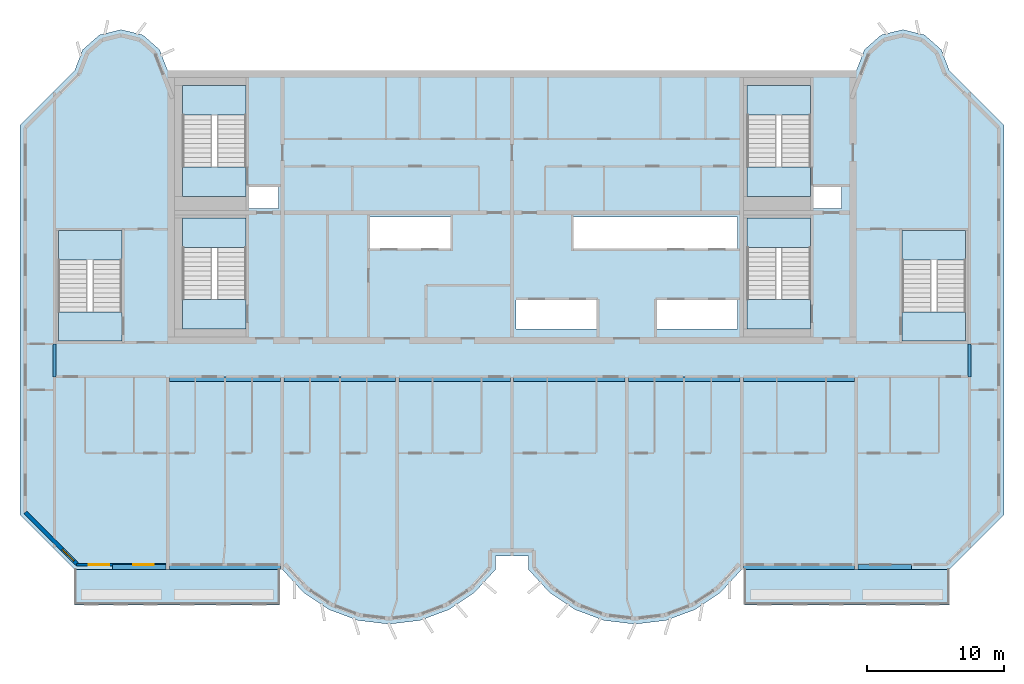
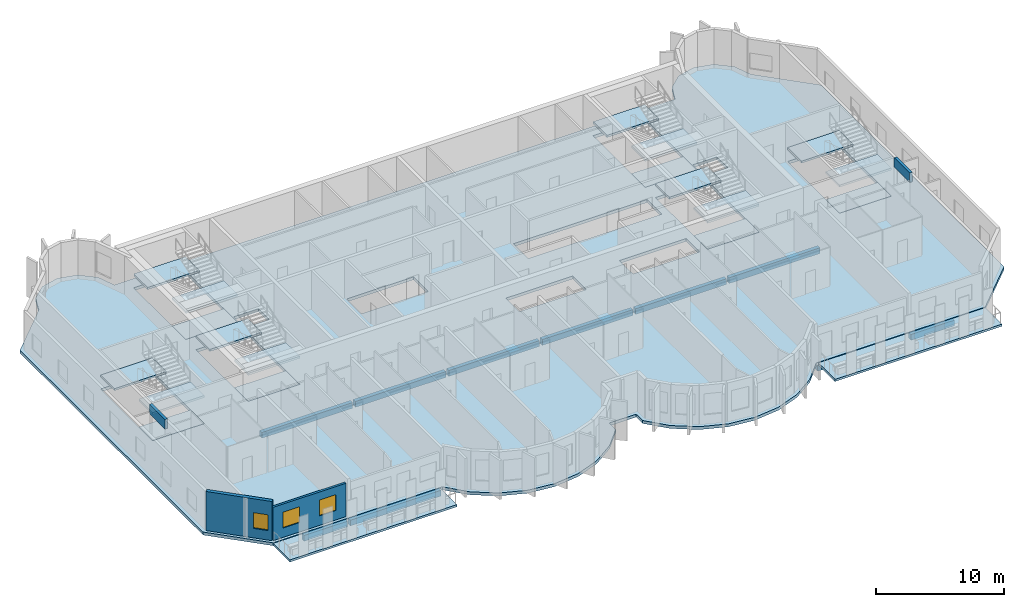
# One storey, part 1 of 12: 21 slabs, 12 beams, 3 windows, 2 walls, 3 openings, 6 elements without a shape of their own.
"""IFC4 building model written with IfcOpenShell, lengths in metres."""

from ifc_helpers import new_model, si_unit, direction, frame, frame_2d, origin, origin_2d, place, context, subcontext, project, spatial, polyline, rectangle, outline, extrude, source, transform, mapped, material, layer, layer_set, material_profile, profile_set, type_object, element, fill, aggregate, save


model = new_model("IFC4")

# Units and contexts
model_context = context("Model", 3, precision=1e-05, world=origin(), true_north=direction((0.0, 1.0)))
body_context = subcontext(model_context, "Body", "Model", "MODEL_VIEW")
ifc_project = project(units=[si_unit("LENGTHUNIT", "METRE"), si_unit("AREAUNIT", "SQUARE_METRE"), si_unit("VOLUMEUNIT", "CUBIC_METRE"), si_unit("PLANEANGLEUNIT", "RADIAN"), si_unit("MASSUNIT", "GRAM", prefix="KILO")], contexts=[model_context])

# Site, building, storey
site_placement = place(None, origin())
site = spatial("IfcSite", under=ifc_project, at=site_placement, CompositionType="ELEMENT")
building_placement = place(site_placement, origin())
building = spatial("IfcBuilding", under=site, at=building_placement, Name="Vanashikhar Sky Hotel", CompositionType="ELEMENT")
storey_placement = place(building_placement, frame((0.0, 0.0, 297.699951171875)))
storey = spatial("IfcBuildingStorey", under=building, at=storey_placement, Name="L71", CompositionType="ELEMENT", Elevation=297.699951171875)

# Beams
ifc_material_1 = material(Name="Concrete M50", Category="concrete")
ifc_material_profile_1 = material_profile(ifc_material_1, rectangle(XDim=0.25, YDim=0.89990234375, at=origin_2d()))
ifc_profile_set_1 = profile_set([ifc_material_profile_1], Name="RC 250x900 beam Concrete M50")
beam_type_1 = type_object("IfcBeamType", Name="RC 250x900 beam Concrete M50", PredefinedType="LINTEL", material=ifc_profile_set_1)
shared_shape_1 = source(origin(), body_context, "Body", "SweptSolid", [
    extrude(rectangle(XDim=0.25, YDim=0.89990234375, at=origin_2d()), origin(), (0.0, 0.0, 1.0), 2.39990234375),
])
for number, where, z_axis, x_axis, name in (
    (1, (16.925048828125, 19.60009765625, 3.27001953125), (0.0, 1.0, 0.0), (-1.0, 0.0, 0.0), "LB-L71-XW03"),
    (2, (83.875, 19.60009765625, 3.27001953125), (0.0, 1.0, 0.0), (-1.0, 0.0, 0.0), "LB-L71-XW11"),
):
    element("IfcBeam", number, at=place(storey_placement, frame(where, z_axis=z_axis, x_axis=x_axis)), inside=storey, type_object=beam_type_1, Name=name, PredefinedType="LINTEL", context=body_context, shape_type="MappedRepresentation", body=[
        mapped(shared_shape_1, transform((0.0, 0.0, 0.0), scale=1.0)),
    ])
ifc_material_profile_2 = material_profile(ifc_material_1, rectangle(XDim=0.35009765625, YDim=0.550048828125, at=origin_2d()))
ifc_profile_set_2 = profile_set([ifc_material_profile_2], Name="RC 350x550 beam Concrete M50")
beam_type_2 = type_object("IfcBeamType", Name="RC 350x550 beam Concrete M50", PredefinedType="SPANDREL", material=ifc_profile_set_2)
shared_shape_2 = source(origin(), body_context, "Body", "SweptSolid", [
    extrude(rectangle(XDim=0.35009765625, YDim=0.550048828125, at=origin_2d()), origin(), (0.0, 0.0, 1.0), 8.150146484375),
])
for number, where, z_axis, x_axis, name in (
    (3, (25.324951171875, 5.675048828125, -0.554931640625), (1.0, 0.0, 0.0), (0.0, 1.0, 0.0), "EB-L71-F01"),
    (4, (67.324951171875, 5.675048828125, -0.554931640625), (1.0, 0.0, 0.0), (0.0, 1.0, 0.0), "EB-L71-F03"),
    (5, (25.324951171875, 19.425048828125, -0.554931640625), (1.0, 0.0, 0.0), (0.0, 1.0, 0.0), "CB-L71-01"),
    (6, (50.52490234375, 19.425048828125, -0.554931640625), (1.0, 0.0, 0.0), (0.0, 1.0, 0.0), "CB-L71-04"),
    (7, (67.324951171875, 19.425048828125, -0.554931640625), (1.0, 0.0, 0.0), (0.0, 1.0, 0.0), "CB-L71-06"),
):
    element("IfcBeam", number, at=place(storey_placement, frame(where, z_axis=z_axis, x_axis=x_axis)), inside=storey, type_object=beam_type_2, Name=name, PredefinedType="SPANDREL", context=body_context, shape_type="MappedRepresentation", body=[
        mapped(shared_shape_2, transform((0.0, 0.0, 0.0), scale=1.0)),
    ])
ifc_material_profile_3 = material_profile(ifc_material_1, rectangle(XDim=0.35009765625, YDim=0.550048828125, at=origin_2d()))
ifc_profile_set_3 = profile_set([ifc_material_profile_3], Name="RC 350x550 cantilever beam Concrete M50")
beam_type_3 = type_object("IfcBeamType", Name="RC 350x550 cantilever beam Concrete M50", PredefinedType="SPANDREL", material=ifc_profile_set_3)
shared_shape_3 = source(origin(), body_context, "Body", "SweptSolid", [
    extrude(rectangle(XDim=0.35009765625, YDim=0.550048828125, at=origin_2d()), origin(), (0.0, 0.0, 1.0), 3.89990234375),
])
for number, where, z_axis, x_axis, name in (
    (8, (21.175048828125, 5.675048828125, -0.554931640625), (1.0, 0.0, 0.0), (0.0, 1.0, 0.0), "EB-L71-F02"),
    (9, (75.72509765625, 5.675048828125, -0.554931640625), (1.0, 0.0, 0.0), (0.0, 1.0, 0.0), "EB-L71-F04"),
):
    element("IfcBeam", number, at=place(storey_placement, frame(where, z_axis=z_axis, x_axis=x_axis)), inside=storey, type_object=beam_type_3, Name=name, PredefinedType="SPANDREL", context=body_context, shape_type="MappedRepresentation", body=[
        mapped(shared_shape_3, transform((0.0, 0.0, 0.0), scale=1.0)),
    ])
shared_shape_4 = source(origin(), body_context, "Body", "SweptSolid", [
    extrude(rectangle(XDim=0.35009765625, YDim=0.550048828125, at=origin_2d()), origin(), (0.0, 0.0, 1.0), 8.14990234375),
])
for number, where, z_axis, x_axis, name in (
    (10, (33.72509765625, 19.425048828125, -0.554931640625), (1.0, 0.0, 0.0), (0.0, 1.0, 0.0), "CB-L71-02"),
    (11, (42.125, 19.425048828125, -0.554931640625), (1.0, 0.0, 0.0), (0.0, 1.0, 0.0), "CB-L71-03"),
    (12, (58.925048828125, 19.425048828125, -0.554931640625), (1.0, 0.0, 0.0), (0.0, 1.0, 0.0), "CB-L71-05"),
):
    element("IfcBeam", number, at=place(storey_placement, frame(where, z_axis=z_axis, x_axis=x_axis)), inside=storey, type_object=beam_type_2, Name=name, PredefinedType="SPANDREL", context=body_context, shape_type="MappedRepresentation", body=[
        mapped(shared_shape_4, transform((0.0, 0.0, 0.0), scale=1.0)),
    ])

# Slabs
ifc_material_2 = material(Name="Concrete M40", Category="concrete")
ifc_layer_1 = layer(ifc_material_2, 0.280029296875)
ifc_layer_set_1 = layer_set([ifc_layer_1], Name="Floor slab 280 mm")
slab_type_1 = type_object("IfcSlabType", Name="Floor slab 280 mm", PredefinedType="FLOOR", material=ifc_layer_set_1)
shared_shape_5 = source(origin(), body_context, "Body", "SweptSolid", [
    extrude(outline(polyline([(49.199951171875, 5.5), (49.199951171875, 6.5), (51.60009765625, 6.5), (51.60009765625, 5.5), (53.133056640625, 3.825927734375), (55.01708984375, 2.55810546875), (57.14599609375, 1.76806640625), (59.39990234375, 1.5), (61.654052734375, 1.76806640625), (63.782958984375, 2.55810546875), (65.6669921875, 3.825927734375), (67.199951171875, 5.5), (82.39990234375, 5.5), (86.39990234375, 9.5), (86.39990234375, 38.0), (82.39990234375, 42.0), (81.81494140625, 43.527099609375), (80.587890625, 44.610107421875), (79.0, 45.0), (77.412109375, 44.610107421875), (76.18505859375, 43.527099609375), (75.60009765625, 42.0), (25.199951171875, 42.0), (24.614990234375, 43.527099609375), (23.387939453125, 44.610107421875), (21.800048828125, 45.0), (20.2119140625, 44.610107421875), (18.985107421875, 43.527099609375), (18.39990234375, 42.0), (14.39990234375, 38.0), (14.39990234375, 9.5), (18.39990234375, 5.5), (33.60009765625, 5.5), (35.133056640625, 3.825927734375), (37.01708984375, 2.55810546875), (39.14599609375, 1.76806640625), (41.39990234375, 1.5), (43.654052734375, 1.76806640625), (45.782958984375, 2.55810546875), (47.6669921875, 3.825927734375), (49.199951171875, 5.5)]), holes=[polyline([(33.300048828125, 33.60009765625), (31.050048828125, 33.60009765625), (31.050048828125, 31.89990234375), (33.300048828125, 31.89990234375), (33.300048828125, 33.60009765625)]), polyline([(39.89990234375, 31.300048828125), (39.89990234375, 29.0), (45.89990234375, 29.0), (45.89990234375, 31.300048828125), (39.89990234375, 31.300048828125)]), polyline([(50.699951171875, 25.199951171875), (50.699951171875, 23.10009765625), (56.699951171875, 23.10009765625), (56.699951171875, 25.199951171875), (50.699951171875, 25.199951171875)]), polyline([(66.89990234375, 29.0), (66.89990234375, 31.300048828125), (54.89990234375, 31.300048828125), (54.89990234375, 29.0), (66.89990234375, 29.0)]), polyline([(60.89990234375, 25.199951171875), (60.89990234375, 23.10009765625), (66.89990234375, 23.10009765625), (66.89990234375, 25.199951171875), (60.89990234375, 25.199951171875)]), polyline([(74.5, 33.60009765625), (72.35009765625, 33.60009765625), (72.35009765625, 31.89990234375), (74.5, 31.89990234375), (74.5, 33.60009765625)]), polyline([(30.949951171875, 23.10009765625), (30.949951171875, 31.199951171875), (26.300048828125, 31.199951171875), (26.300048828125, 23.10009765625), (30.949951171875, 23.10009765625)]), polyline([(72.25, 23.10009765625), (72.25, 31.199951171875), (67.60009765625, 31.199951171875), (67.60009765625, 23.10009765625), (72.25, 23.10009765625)]), polyline([(30.949951171875, 32.800048828125), (30.949951171875, 40.89990234375), (26.300048828125, 40.89990234375), (26.300048828125, 32.800048828125), (30.949951171875, 32.800048828125)]), polyline([(72.25, 32.800048828125), (72.25, 40.89990234375), (67.60009765625, 40.89990234375), (67.60009765625, 32.800048828125), (72.25, 32.800048828125)]), polyline([(83.60009765625, 22.199951171875), (83.60009765625, 30.300048828125), (78.949951171875, 30.300048828125), (78.949951171875, 22.199951171875), (83.60009765625, 22.199951171875)]), polyline([(21.85009765625, 22.199951171875), (21.85009765625, 30.300048828125), (17.199951171875, 30.300048828125), (17.199951171875, 22.199951171875), (21.85009765625, 22.199951171875)])]), origin(), (0.0, 0.0, 1.0), 0.280029296875),
])
slab_1_placement = place(storey_placement, frame((0.0, 0.0, -0.280029296875)))
element("IfcSlab", 13, at=slab_1_placement, inside=storey, type_object=slab_type_1, Name="Floor slab L71", PredefinedType="FLOOR", context=body_context, shape_type="MappedRepresentation", body=[
    mapped(shared_shape_5, transform((0.0, 0.0, 0.0), scale=1.0)),
])
ifc_layer_2 = layer(ifc_material_2, 0.199951171875)
ifc_layer_set_2 = layer_set([ifc_layer_2], Name="Balcony slab 200 mm")
slab_type_2 = type_object("IfcSlabType", Name="Balcony slab 200 mm", PredefinedType="USERDEFINED", material=ifc_layer_set_2)
shared_shape_6 = source(origin(), body_context, "Body", "SweptSolid", [
    extrude(outline(polyline([(18.39990234375, 2.89990234375), (33.39990234375, 2.89990234375), (33.39990234375, 5.5), (18.39990234375, 5.5), (18.39990234375, 2.89990234375)])), origin(), (0.0, 0.0, 1.0), 0.199951171875),
])
slab_2_placement = place(storey_placement, frame((0.0, 0.0, -0.25)))
element("IfcSlab", 14, at=slab_2_placement, inside=storey, type_object=slab_type_2, Name="Balcony slab L71 1", ObjectType="BALCONY", PredefinedType="USERDEFINED", context=body_context, shape_type="MappedRepresentation", body=[
    mapped(shared_shape_6, transform((0.0, 0.0, 0.0), scale=1.0)),
])
shared_shape_7 = source(origin(), body_context, "Body", "SweptSolid", [
    extrude(outline(polyline([(67.39990234375, 2.89990234375), (82.39990234375, 2.89990234375), (82.39990234375, 5.5), (67.39990234375, 5.5), (67.39990234375, 2.89990234375)])), origin(), (0.0, 0.0, 1.0), 0.199951171875),
])
slab_3_placement = place(storey_placement, frame((0.0, 0.0, -0.25)))
element("IfcSlab", 15, at=slab_3_placement, inside=storey, type_object=slab_type_2, Name="Balcony slab L71 2", ObjectType="BALCONY", PredefinedType="USERDEFINED", context=body_context, shape_type="MappedRepresentation", body=[
    mapped(shared_shape_7, transform((0.0, 0.0, 0.0), scale=1.0)),
])

# Stair, slabs
stair_type = type_object("IfcStairType", Name="Exit stair 2150", PredefinedType="DOUBLE_RETURN_STAIR", material=ifc_material_2)
stair_1_placement = place(storey_placement, origin())
stair_1 = element("IfcStair", 16, at=stair_1_placement, inside=storey, type_object=stair_type, Name="L71 Exit stair 1", PredefinedType="DOUBLE_RETURN_STAIR")
ifc_layer_3 = layer(ifc_material_2, 0.199951171875)
ifc_layer_set_3 = layer_set([ifc_layer_3], Name="Stair landing 200")
slab_type_3 = type_object("IfcSlabType", Name="Stair landing 200", PredefinedType="LANDING", material=ifc_layer_set_3)
shared_shape_8 = source(origin(), body_context, "Body", "SweptSolid", [
    extrude(outline(polyline([(30.949951171875, 23.10009765625), (30.949951171875, 25.25), (26.300048828125, 25.25), (26.300048828125, 23.10009765625), (30.949951171875, 23.10009765625)])), origin(), (0.0, 0.0, 1.0), 0.199951171875),
])
slab_4_placement = place(storey_placement, frame((0.0, 0.0, 2.466796875)))
slab_4 = element("IfcSlab", 17, at=slab_4_placement, type_object=slab_type_3, Name="ST-C1 landing 2", PredefinedType="LANDING", context=body_context, shape_type="MappedRepresentation", body=[
    mapped(shared_shape_8, transform((0.0, 0.0, 0.0), scale=1.0)),
])
shared_shape_9 = source(origin(), body_context, "Body", "SweptSolid", [
    extrude(outline(polyline([(30.949951171875, 29.050048828125), (30.949951171875, 31.199951171875), (26.300048828125, 31.199951171875), (26.300048828125, 29.050048828125), (30.949951171875, 29.050048828125)])), origin(), (0.0, 0.0, 1.0), 0.2001953125),
])
slab_5_placement = place(storey_placement, frame((0.0, 0.0, 1.13330078125)))
slab_5 = element("IfcSlab", 18, at=slab_5_placement, type_object=slab_type_3, Name="ST-C1 landing 1", PredefinedType="LANDING", context=body_context, shape_type="MappedRepresentation", body=[
    mapped(shared_shape_9, transform((0.0, 0.0, 0.0), scale=1.0)),
])
aggregate(stair_1, [slab_5, slab_4])

# Slab
ifc_layer_4 = layer(ifc_material_2, 0.280029296875)
ifc_layer_set_4 = layer_set([ifc_layer_4], Name="Stair floor landing 280")
slab_type_4 = type_object("IfcSlabType", Name="Stair floor landing 280", PredefinedType="LANDING", material=ifc_layer_set_4)
shared_shape_10 = source(origin(), body_context, "Body", "SweptSolid", [
    extrude(outline(polyline([(30.949951171875, 23.10009765625), (30.949951171875, 25.25), (26.300048828125, 25.25), (26.300048828125, 23.10009765625), (30.949951171875, 23.10009765625)])), origin(), (0.0, 0.0, 1.0), 0.280029296875),
])
slab_6_placement = place(storey_placement, frame((0.0, 0.0, -0.280029296875)))
element("IfcSlab", 19, at=slab_6_placement, inside=storey, type_object=slab_type_4, Name="Exit stair 1 floor landing", PredefinedType="LANDING", context=body_context, shape_type="MappedRepresentation", body=[
    mapped(shared_shape_10, transform((0.0, 0.0, 0.0), scale=1.0)),
])

# Stair, slabs
stair_2_placement = place(storey_placement, origin())
stair_2 = element("IfcStair", 20, at=stair_2_placement, inside=storey, type_object=stair_type, Name="L71 Exit stair 2", PredefinedType="DOUBLE_RETURN_STAIR")
shared_shape_11 = source(origin(), body_context, "Body", "SweptSolid", [
    extrude(outline(polyline([(72.25, 23.10009765625), (72.25, 25.25), (67.60009765625, 25.25), (67.60009765625, 23.10009765625), (72.25, 23.10009765625)])), origin(), (0.0, 0.0, 1.0), 0.199951171875),
])
slab_7_placement = place(storey_placement, frame((0.0, 0.0, 2.466796875)))
slab_7 = element("IfcSlab", 21, at=slab_7_placement, type_object=slab_type_3, Name="ST-C2 landing 2", PredefinedType="LANDING", context=body_context, shape_type="MappedRepresentation", body=[
    mapped(shared_shape_11, transform((0.0, 0.0, 0.0), scale=1.0)),
])
shared_shape_12 = source(origin(), body_context, "Body", "SweptSolid", [
    extrude(outline(polyline([(72.25, 29.050048828125), (72.25, 31.199951171875), (67.60009765625, 31.199951171875), (67.60009765625, 29.050048828125), (72.25, 29.050048828125)])), origin(), (0.0, 0.0, 1.0), 0.2001953125),
])
slab_8_placement = place(storey_placement, frame((0.0, 0.0, 1.13330078125)))
slab_8 = element("IfcSlab", 22, at=slab_8_placement, type_object=slab_type_3, Name="ST-C2 landing 1", PredefinedType="LANDING", context=body_context, shape_type="MappedRepresentation", body=[
    mapped(shared_shape_12, transform((0.0, 0.0, 0.0), scale=1.0)),
])
aggregate(stair_2, [slab_8, slab_7])

# Slab
shared_shape_13 = source(origin(), body_context, "Body", "SweptSolid", [
    extrude(outline(polyline([(72.25, 23.10009765625), (72.25, 25.25), (67.60009765625, 25.25), (67.60009765625, 23.10009765625), (72.25, 23.10009765625)])), origin(), (0.0, 0.0, 1.0), 0.280029296875),
])
slab_9_placement = place(storey_placement, frame((0.0, 0.0, -0.280029296875)))
element("IfcSlab", 23, at=slab_9_placement, inside=storey, type_object=slab_type_4, Name="Exit stair 2 floor landing", PredefinedType="LANDING", context=body_context, shape_type="MappedRepresentation", body=[
    mapped(shared_shape_13, transform((0.0, 0.0, 0.0), scale=1.0)),
])

# Stair, slabs
stair_3_placement = place(storey_placement, origin())
stair_3 = element("IfcStair", 24, at=stair_3_placement, inside=storey, type_object=stair_type, Name="L71 Exit stair 3", PredefinedType="DOUBLE_RETURN_STAIR")
shared_shape_14 = source(origin(), body_context, "Body", "SweptSolid", [
    extrude(outline(polyline([(21.85009765625, 22.199951171875), (21.85009765625, 24.35009765625), (17.199951171875, 24.35009765625), (17.199951171875, 22.199951171875), (21.85009765625, 22.199951171875)])), origin(), (0.0, 0.0, 1.0), 0.199951171875),
])
slab_10_placement = place(storey_placement, frame((0.0, 0.0, 2.466796875)))
slab_10 = element("IfcSlab", 25, at=slab_10_placement, type_object=slab_type_3, Name="ST-W landing 2", PredefinedType="LANDING", context=body_context, shape_type="MappedRepresentation", body=[
    mapped(shared_shape_14, transform((0.0, 0.0, 0.0), scale=1.0)),
])
shared_shape_15 = source(origin(), body_context, "Body", "SweptSolid", [
    extrude(outline(polyline([(21.85009765625, 28.14990234375), (21.85009765625, 30.300048828125), (17.199951171875, 30.300048828125), (17.199951171875, 28.14990234375), (21.85009765625, 28.14990234375)])), origin(), (0.0, 0.0, 1.0), 0.2001953125),
])
slab_11_placement = place(storey_placement, frame((0.0, 0.0, 1.13330078125)))
slab_11 = element("IfcSlab", 26, at=slab_11_placement, type_object=slab_type_3, Name="ST-W landing 1", PredefinedType="LANDING", context=body_context, shape_type="MappedRepresentation", body=[
    mapped(shared_shape_15, transform((0.0, 0.0, 0.0), scale=1.0)),
])
aggregate(stair_3, [slab_11, slab_10])

# Slab
shared_shape_16 = source(origin(), body_context, "Body", "SweptSolid", [
    extrude(outline(polyline([(21.85009765625, 22.199951171875), (21.85009765625, 24.35009765625), (17.199951171875, 24.35009765625), (17.199951171875, 22.199951171875), (21.85009765625, 22.199951171875)])), origin(), (0.0, 0.0, 1.0), 0.280029296875),
])
slab_12_placement = place(storey_placement, frame((0.0, 0.0, -0.280029296875)))
element("IfcSlab", 27, at=slab_12_placement, inside=storey, type_object=slab_type_4, Name="Exit stair 3 floor landing", PredefinedType="LANDING", context=body_context, shape_type="MappedRepresentation", body=[
    mapped(shared_shape_16, transform((0.0, 0.0, 0.0), scale=1.0)),
])

# Stair, slabs
stair_4_placement = place(storey_placement, origin())
stair_4 = element("IfcStair", 28, at=stair_4_placement, inside=storey, type_object=stair_type, Name="L71 Exit stair 4", PredefinedType="DOUBLE_RETURN_STAIR")
shared_shape_17 = source(origin(), body_context, "Body", "SweptSolid", [
    extrude(outline(polyline([(83.60009765625, 22.199951171875), (83.60009765625, 24.35009765625), (78.949951171875, 24.35009765625), (78.949951171875, 22.199951171875), (83.60009765625, 22.199951171875)])), origin(), (0.0, 0.0, 1.0), 0.199951171875),
])
slab_13_placement = place(storey_placement, frame((0.0, 0.0, 2.466796875)))
slab_13 = element("IfcSlab", 29, at=slab_13_placement, type_object=slab_type_3, Name="ST-E landing 2", PredefinedType="LANDING", context=body_context, shape_type="MappedRepresentation", body=[
    mapped(shared_shape_17, transform((0.0, 0.0, 0.0), scale=1.0)),
])
shared_shape_18 = source(origin(), body_context, "Body", "SweptSolid", [
    extrude(outline(polyline([(83.60009765625, 28.14990234375), (83.60009765625, 30.300048828125), (78.949951171875, 30.300048828125), (78.949951171875, 28.14990234375), (83.60009765625, 28.14990234375)])), origin(), (0.0, 0.0, 1.0), 0.2001953125),
])
slab_14_placement = place(storey_placement, frame((0.0, 0.0, 1.13330078125)))
slab_14 = element("IfcSlab", 30, at=slab_14_placement, type_object=slab_type_3, Name="ST-E landing 1", PredefinedType="LANDING", context=body_context, shape_type="MappedRepresentation", body=[
    mapped(shared_shape_18, transform((0.0, 0.0, 0.0), scale=1.0)),
])
aggregate(stair_4, [slab_14, slab_13])

# Slab
shared_shape_19 = source(origin(), body_context, "Body", "SweptSolid", [
    extrude(outline(polyline([(83.60009765625, 22.199951171875), (83.60009765625, 24.35009765625), (78.949951171875, 24.35009765625), (78.949951171875, 22.199951171875), (83.60009765625, 22.199951171875)])), origin(), (0.0, 0.0, 1.0), 0.280029296875),
])
slab_15_placement = place(storey_placement, frame((0.0, 0.0, -0.280029296875)))
element("IfcSlab", 31, at=slab_15_placement, inside=storey, type_object=slab_type_4, Name="Exit stair 4 floor landing", PredefinedType="LANDING", context=body_context, shape_type="MappedRepresentation", body=[
    mapped(shared_shape_19, transform((0.0, 0.0, 0.0), scale=1.0)),
])

# Stair, slabs
stair_5_placement = place(storey_placement, origin())
stair_5 = element("IfcStair", 32, at=stair_5_placement, inside=storey, type_object=stair_type, Name="L71 Exit stair 5", PredefinedType="DOUBLE_RETURN_STAIR")
shared_shape_20 = source(origin(), body_context, "Body", "SweptSolid", [
    extrude(outline(polyline([(30.949951171875, 32.800048828125), (30.949951171875, 34.949951171875), (26.300048828125, 34.949951171875), (26.300048828125, 32.800048828125), (30.949951171875, 32.800048828125)])), origin(), (0.0, 0.0, 1.0), 0.199951171875),
])
slab_16_placement = place(storey_placement, frame((0.0, 0.0, 2.466796875)))
slab_16 = element("IfcSlab", 33, at=slab_16_placement, type_object=slab_type_3, Name="ST-C3 landing 2", PredefinedType="LANDING", context=body_context, shape_type="MappedRepresentation", body=[
    mapped(shared_shape_20, transform((0.0, 0.0, 0.0), scale=1.0)),
])
shared_shape_21 = source(origin(), body_context, "Body", "SweptSolid", [
    extrude(outline(polyline([(30.949951171875, 38.75), (30.949951171875, 40.89990234375), (26.300048828125, 40.89990234375), (26.300048828125, 38.75), (30.949951171875, 38.75)])), origin(), (0.0, 0.0, 1.0), 0.2001953125),
])
slab_17_placement = place(storey_placement, frame((0.0, 0.0, 1.13330078125)))
slab_17 = element("IfcSlab", 34, at=slab_17_placement, type_object=slab_type_3, Name="ST-C3 landing 1", PredefinedType="LANDING", context=body_context, shape_type="MappedRepresentation", body=[
    mapped(shared_shape_21, transform((0.0, 0.0, 0.0), scale=1.0)),
])
aggregate(stair_5, [slab_17, slab_16])

# Slab
shared_shape_22 = source(origin(), body_context, "Body", "SweptSolid", [
    extrude(outline(polyline([(30.949951171875, 32.800048828125), (30.949951171875, 34.949951171875), (26.300048828125, 34.949951171875), (26.300048828125, 32.800048828125), (30.949951171875, 32.800048828125)])), origin(), (0.0, 0.0, 1.0), 0.280029296875),
])
slab_18_placement = place(storey_placement, frame((0.0, 0.0, -0.280029296875)))
element("IfcSlab", 35, at=slab_18_placement, inside=storey, type_object=slab_type_4, Name="Exit stair 5 floor landing", PredefinedType="LANDING", context=body_context, shape_type="MappedRepresentation", body=[
    mapped(shared_shape_22, transform((0.0, 0.0, 0.0), scale=1.0)),
])

# Stair, slabs
stair_6_placement = place(storey_placement, origin())
stair_6 = element("IfcStair", 36, at=stair_6_placement, inside=storey, type_object=stair_type, Name="L71 Exit stair 6", PredefinedType="DOUBLE_RETURN_STAIR")
shared_shape_23 = source(origin(), body_context, "Body", "SweptSolid", [
    extrude(outline(polyline([(72.25, 32.800048828125), (72.25, 34.949951171875), (67.60009765625, 34.949951171875), (67.60009765625, 32.800048828125), (72.25, 32.800048828125)])), origin(), (0.0, 0.0, 1.0), 0.199951171875),
])
slab_19_placement = place(storey_placement, frame((0.0, 0.0, 2.466796875)))
slab_19 = element("IfcSlab", 37, at=slab_19_placement, type_object=slab_type_3, Name="ST-C4 landing 2", PredefinedType="LANDING", context=body_context, shape_type="MappedRepresentation", body=[
    mapped(shared_shape_23, transform((0.0, 0.0, 0.0), scale=1.0)),
])
shared_shape_24 = source(origin(), body_context, "Body", "SweptSolid", [
    extrude(outline(polyline([(72.25, 38.75), (72.25, 40.89990234375), (67.60009765625, 40.89990234375), (67.60009765625, 38.75), (72.25, 38.75)])), origin(), (0.0, 0.0, 1.0), 0.2001953125),
])
slab_20_placement = place(storey_placement, frame((0.0, 0.0, 1.13330078125)))
slab_20 = element("IfcSlab", 38, at=slab_20_placement, type_object=slab_type_3, Name="ST-C4 landing 1", PredefinedType="LANDING", context=body_context, shape_type="MappedRepresentation", body=[
    mapped(shared_shape_24, transform((0.0, 0.0, 0.0), scale=1.0)),
])
aggregate(stair_6, [slab_20, slab_19])

# Slab
shared_shape_25 = source(origin(), body_context, "Body", "SweptSolid", [
    extrude(outline(polyline([(72.25, 32.800048828125), (72.25, 34.949951171875), (67.60009765625, 34.949951171875), (67.60009765625, 32.800048828125), (72.25, 32.800048828125)])), origin(), (0.0, 0.0, 1.0), 0.280029296875),
])
slab_21_placement = place(storey_placement, frame((0.0, 0.0, -0.280029296875)))
element("IfcSlab", 39, at=slab_21_placement, inside=storey, type_object=slab_type_4, Name="Exit stair 6 floor landing", PredefinedType="LANDING", context=body_context, shape_type="MappedRepresentation", body=[
    mapped(shared_shape_25, transform((0.0, 0.0, 0.0), scale=1.0)),
])

# Wall, openings, windows
ifc_layer_5 = layer(ifc_material_1, 0.199951171875)
ifc_layer_set_5 = layer_set([ifc_layer_5], Name="Front window wall 200")
wall_type_1 = type_object("IfcWallType", Name="Front window wall 200", PredefinedType="SOLIDWALL", material=ifc_layer_set_5)
shared_shape_26 = source(origin(), body_context, "Body", "SweptSolid", [
    extrude(rectangle(XDim=6.530029296875, YDim=0.199951171875, at=frame_2d((3.26513671875, 0.0))), origin(), (0.0, 0.0, 1.0), 3.170166015625),
])
wall_1_placement = place(storey_placement, frame((18.544921875, 5.85009765625, 0.0), z_axis=(0.0, 0.0, 1.0), x_axis=(1.0, 0.0, 0.0)))
wall_1 = element("IfcWall", 40, at=wall_1_placement, inside=storey, type_object=wall_type_1, Name="Front window wall", PredefinedType="SOLIDWALL", context=body_context, shape_type="MappedRepresentation", body=[
    mapped(shared_shape_26, transform((0.0, 0.0, 0.0), scale=1.0)),
])
shared_shape_27 = source(origin(), body_context, "Body", "SweptSolid", [
    extrude(rectangle(XDim=1.5, YDim=1.5, at=frame_2d((0.75, 0.75))), frame((0.0, 0.10986328125, 0.0), z_axis=(0.0, -1.0, 0.0), x_axis=(1.0, 0.0, 0.0)), (0.0, 0.0, 1.0), 0.219970703125),
])
opening_1_placement = place(wall_1_placement, frame((0.882568359375, 0.0, 0.89990234375)))
opening_1 = element("IfcOpeningElement", 41, at=opening_1_placement, cuts=wall_1, Name="Opening WN-1", PredefinedType="OPENING", context=body_context, shape_type="MappedRepresentation", body=[
    mapped(shared_shape_27, transform((0.0, 0.0, 0.0), scale=1.0)),
])
opening_2_placement = place(wall_1_placement, frame((4.1474609375, 0.0, 0.89990234375)))
opening_2 = element("IfcOpeningElement", 42, at=opening_2_placement, cuts=wall_1, Name="Opening WN-1", PredefinedType="OPENING", context=body_context, shape_type="MappedRepresentation", body=[
    mapped(shared_shape_27, transform((0.0, 0.0, 0.0), scale=1.0)),
])
ifc_material_3 = material(Name="Glass", Category="glass")
window_type_1 = type_object("IfcWindowType", Name="Window 1500 x 1500", PartitioningType="SINGLE_PANEL", PredefinedType="WINDOW", material=ifc_material_3)
shared_shape_28 = source(origin(), body_context, "Body", "SweptSolid", [
    extrude(rectangle(XDim=1.5, YDim=1.5, at=frame_2d((0.75, 0.75))), frame((0.0, 0.030029296875, 0.0), z_axis=(0.0, -1.0, 0.0), x_axis=(1.0, 0.0, 0.0)), (0.0, 0.0, 1.0), 0.06005859375),
])
window_1_placement = place(opening_1_placement, origin())
window_1 = element("IfcWindow", 43, at=window_1_placement, inside=storey, type_object=window_type_1, Name="Window WN-1", OverallHeight=1.5, OverallWidth=1.5, PartitioningType="SINGLE_PANEL", PredefinedType="WINDOW", context=body_context, shape_type="MappedRepresentation", body=[
    mapped(shared_shape_28, transform((0.0, 0.0, 0.0), scale=1.0)),
])
fill(opening_1, window_1)
window_2_placement = place(opening_2_placement, origin())
window_2 = element("IfcWindow", 44, at=window_2_placement, inside=storey, type_object=window_type_1, Name="Window WN-1", OverallHeight=1.5, OverallWidth=1.5, PartitioningType="SINGLE_PANEL", PredefinedType="WINDOW", context=body_context, shape_type="MappedRepresentation", body=[
    mapped(shared_shape_28, transform((0.0, 0.0, 0.0), scale=1.0)),
])
fill(opening_2, window_2)

# Wall, opening, window
ifc_layer_6 = layer(ifc_material_1, 0.300048828125)
ifc_layer_set_6 = layer_set([ifc_layer_6], Name="Lobe wall 300")
wall_type_2 = type_object("IfcWallType", Name="Lobe wall 300", PredefinedType="SOLIDWALL", material=ifc_layer_set_6)
shared_shape_29 = source(origin(), body_context, "Body", "SweptSolid", [
    extrude(rectangle(XDim=5.32568359375, YDim=0.300048828125, at=frame_2d((2.662841796875, 0.0))), origin(), (0.0, 0.0, 1.0), 3.719970703125),
])
wall_2_placement = place(storey_placement, frame((14.800048828125, 9.665771484375, 0.0), z_axis=(0.0, 0.0, 1.0), x_axis=(0.707083859269, -0.707129702361, 0.0)))
wall_2 = element("IfcWall", 45, at=wall_2_placement, inside=storey, type_object=wall_type_2, Name="Corner wall", PredefinedType="SOLIDWALL", context=body_context, shape_type="MappedRepresentation", body=[
    mapped(shared_shape_29, transform((0.0, 0.0, 0.0), scale=1.0)),
])
shared_shape_30 = source(origin(), body_context, "Body", "SweptSolid", [
    extrude(rectangle(XDim=1.199951171875, YDim=1.5, at=frame_2d((0.60009765625, 0.75))), frame((0.0, 0.16015625, 0.0), z_axis=(0.0, -1.0, 0.0), x_axis=(1.0, 0.0, 0.0)), (0.0, 0.0, 1.0), 0.320068359375),
])
opening_3_placement = place(wall_2_placement, frame((3.8154296875, 0.0, 0.89990234375)))
opening_3 = element("IfcOpeningElement", 46, at=opening_3_placement, cuts=wall_2, Name="Opening WN-3", PredefinedType="OPENING", context=body_context, shape_type="MappedRepresentation", body=[
    mapped(shared_shape_30, transform((0.0, 0.0, 0.0), scale=1.0)),
])
window_type_2 = type_object("IfcWindowType", Name="Corridor end window 1200 x 1500", PartitioningType="SINGLE_PANEL", PredefinedType="WINDOW", material=ifc_material_3)
shared_shape_31 = source(origin(), body_context, "Body", "SweptSolid", [
    extrude(rectangle(XDim=1.199951171875, YDim=1.5, at=frame_2d((0.60009765625, 0.75))), frame((0.0, 0.030029296875, 0.0), z_axis=(0.0, -1.0, 0.0), x_axis=(1.0, 0.0, 0.0)), (0.0, 0.0, 1.0), 0.06005859375),
])
window_3_placement = place(opening_3_placement, origin())
window_3 = element("IfcWindow", 47, at=window_3_placement, inside=storey, type_object=window_type_2, Name="Window WN-3", OverallHeight=1.5, OverallWidth=1.199951171875, PartitioningType="SINGLE_PANEL", PredefinedType="WINDOW", context=body_context, shape_type="MappedRepresentation", body=[
    mapped(shared_shape_31, transform((0.0, 0.0, 0.0), scale=1.0)),
])
fill(opening_3, window_3)

save(model, "model.ifc")
